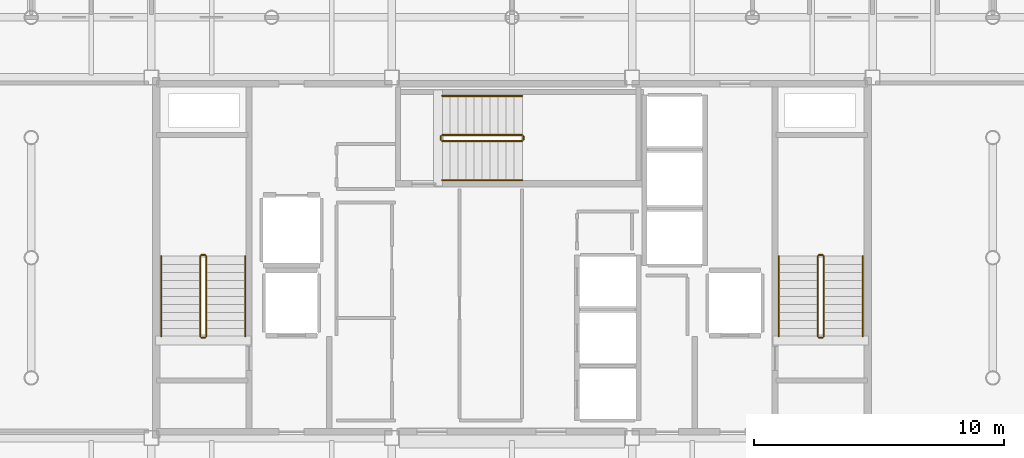
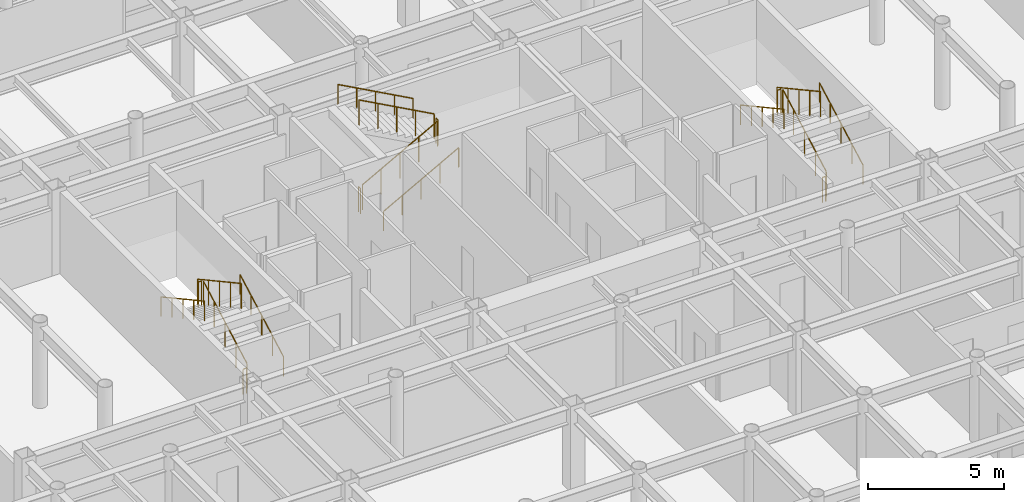
# One storey, part 21 of 21: 18 railings.
"""IFC4 building model written with IfcOpenShell, lengths in metres."""

from ifc_helpers import new_model, si_unit, direction, frame, origin, origin_2d, place, context, subcontext, project, spatial, circle, extrude, material, layer, layer_set, type_object, element, save


model = new_model("IFC4")

# Units and contexts
model_context = context("Model", 3, precision=1e-05, world=origin(), true_north=direction((0.0, 1.0)))
body_context = subcontext(model_context, "Body", "Model", "MODEL_VIEW")
ifc_project = project(units=[si_unit("LENGTHUNIT", "METRE"), si_unit("AREAUNIT", "SQUARE_METRE"), si_unit("VOLUMEUNIT", "CUBIC_METRE"), si_unit("PLANEANGLEUNIT", "RADIAN"), si_unit("MASSUNIT", "GRAM", prefix="KILO")], contexts=[model_context])

# Site, building, storey
site_placement = place(None, origin())
site = spatial("IfcSite", under=ifc_project, at=site_placement, CompositionType="ELEMENT")
building_placement = place(site_placement, origin())
building = spatial("IfcBuilding", under=site, at=building_placement, Name="Kallvorn Hotel Tower", CompositionType="ELEMENT")
storey_placement = place(building_placement, frame((0.0, 0.0, 210.75)))
storey = spatial("IfcBuildingStorey", under=building, at=storey_placement, Name="L52", CompositionType="ELEMENT", Elevation=210.75)

# Railings
ifc_material_1 = material(Name="Brushed stainless-steel tubular railing", Category="steel")
ifc_layer_1 = layer(ifc_material_1, 0.050048828125)
ifc_layer_set_1 = layer_set([ifc_layer_1], Name="RL_STAIR_GUARD")
railing_type_1 = type_object("IfcRailingType", Name="RL_STAIR_GUARD", PredefinedType="GUARDRAIL", material=ifc_layer_set_1)
railing_1_placement = place(storey_placement, frame((-12.2099609375, -3.139892578125, 0.175048828125)))
element("IfcRailing", 1, at=railing_1_placement, inside=storey, type_object=railing_type_1, Name="L52 ST1 stair guard 1", PredefinedType="GUARDRAIL", context=body_context, shape_type="SweptSolid", body=[
    extrude(circle(Radius=0.02392578125, at=origin_2d()), frame((0.0, 0.0, 1.1259765625), z_axis=(0.0, 0.877368057402, 0.479817977833), x_axis=(-1.0, 0.0, 0.0)), (0.0, 0.0, 1.0), 3.647216796875),
    extrude(circle(Radius=0.02099609375, at=origin_2d()), origin(), (0.0, 0.0, 1.0), 1.101806640625),
    extrude(circle(Radius=0.02099609375, at=origin_2d()), frame((0.0, 0.800048828125, 0.4375)), (0.0, 0.0, 1.0), 1.101806640625),
    extrude(circle(Radius=0.02099609375, at=origin_2d()), frame((0.0, 1.60009765625, 0.875)), (0.0, 0.0, 1.0), 1.101806640625),
    extrude(circle(Radius=0.02099609375, at=origin_2d()), frame((0.0, 2.39990234375, 1.3125)), (0.0, 0.0, 1.0), 1.101806640625),
    extrude(circle(Radius=0.02099609375, at=origin_2d()), frame((0.0, 3.199951171875, 1.75)), (0.0, 0.0, 1.0), 1.101806640625),
])
railing_2_placement = place(storey_placement, frame((-12.260009765625, 0.110107421875, 1.925048828125)))
element("IfcRailing", 2, at=railing_2_placement, inside=storey, type_object=railing_type_1, Name="L52 ST1 stair guard 2", PredefinedType="GUARDRAIL", context=body_context, shape_type="SweptSolid", body=[
    extrude(circle(Radius=0.02392578125, at=origin_2d()), frame((0.0, 0.0, 1.1259765625), z_axis=(-1.0, 0.0, 0.0), x_axis=(0.0, -1.0, 0.0)), (0.0, 0.0, 1.0), 0.139892578125),
    extrude(circle(Radius=0.02099609375, at=origin_2d()), origin(), (0.0, 0.0, 1.0), 1.101806640625),
    extrude(circle(Radius=0.02099609375, at=origin_2d()), frame((-0.139892578125, 0.0, 0.0)), (0.0, 0.0, 1.0), 1.101806640625),
])
railing_3_placement = place(storey_placement, frame((-12.449951171875, 0.06005859375, 2.10009765625)))
element("IfcRailing", 3, at=railing_3_placement, inside=storey, type_object=railing_type_1, Name="L52 ST1 stair guard 3", PredefinedType="GUARDRAIL", context=body_context, shape_type="SweptSolid", body=[
    extrude(circle(Radius=0.02392578125, at=origin_2d()), frame((0.0, 0.0, 1.1259765625), z_axis=(0.0, -0.877368057402, 0.479817977833), x_axis=(1.0, 0.0, 0.0)), (0.0, 0.0, 1.0), 3.647216796875),
    extrude(circle(Radius=0.02099609375, at=origin_2d()), origin(), (0.0, 0.0, 1.0), 1.101806640625),
    extrude(circle(Radius=0.02099609375, at=origin_2d()), frame((0.0, -0.800048828125, 0.4375)), (0.0, 0.0, 1.0), 1.101806640625),
    extrude(circle(Radius=0.02099609375, at=origin_2d()), frame((0.0, -1.60009765625, 0.875)), (0.0, 0.0, 1.0), 1.101806640625),
    extrude(circle(Radius=0.02099609375, at=origin_2d()), frame((0.0, -2.39990234375, 1.3125)), (0.0, 0.0, 1.0), 1.101806640625),
    extrude(circle(Radius=0.02099609375, at=origin_2d()), frame((0.0, -3.199951171875, 1.75)), (0.0, 0.0, 1.0), 1.101806640625),
])
railing_4_placement = place(storey_placement, frame((-12.260009765625, -3.18994140625, 0.0)))
element("IfcRailing", 4, at=railing_4_placement, inside=storey, type_object=railing_type_1, Name="L52 ST1 stair guard 4", PredefinedType="GUARDRAIL", context=body_context, shape_type="SweptSolid", body=[
    extrude(circle(Radius=0.02392578125, at=origin_2d()), frame((0.0, 0.0, 1.1259765625), z_axis=(-1.0, 0.0, 0.0), x_axis=(0.0, -1.0, 0.0)), (0.0, 0.0, 1.0), 0.139892578125),
    extrude(circle(Radius=0.02099609375, at=origin_2d()), origin(), (0.0, 0.0, 1.0), 1.101806640625),
    extrude(circle(Radius=0.02099609375, at=origin_2d()), frame((-0.139892578125, 0.0, 0.0)), (0.0, 0.0, 1.0), 1.101806640625),
])
railing_5_placement = place(storey_placement, frame((12.449951171875, -3.139892578125, 0.175048828125)))
element("IfcRailing", 5, at=railing_5_placement, inside=storey, type_object=railing_type_1, Name="L52 ST2 stair guard 1", PredefinedType="GUARDRAIL", context=body_context, shape_type="SweptSolid", body=[
    extrude(circle(Radius=0.02392578125, at=origin_2d()), frame((0.0, 0.0, 1.1259765625), z_axis=(0.0, 0.877368057402, 0.479817977833), x_axis=(-1.0, 0.0, 0.0)), (0.0, 0.0, 1.0), 3.647216796875),
    extrude(circle(Radius=0.02099609375, at=origin_2d()), origin(), (0.0, 0.0, 1.0), 1.101806640625),
    extrude(circle(Radius=0.02099609375, at=origin_2d()), frame((0.0, 0.800048828125, 0.4375)), (0.0, 0.0, 1.0), 1.101806640625),
    extrude(circle(Radius=0.02099609375, at=origin_2d()), frame((0.0, 1.60009765625, 0.875)), (0.0, 0.0, 1.0), 1.101806640625),
    extrude(circle(Radius=0.02099609375, at=origin_2d()), frame((0.0, 2.39990234375, 1.3125)), (0.0, 0.0, 1.0), 1.101806640625),
    extrude(circle(Radius=0.02099609375, at=origin_2d()), frame((0.0, 3.199951171875, 1.75)), (0.0, 0.0, 1.0), 1.101806640625),
])
railing_6_placement = place(storey_placement, frame((12.39990234375, 0.110107421875, 1.925048828125)))
element("IfcRailing", 6, at=railing_6_placement, inside=storey, type_object=railing_type_1, Name="L52 ST2 stair guard 2", PredefinedType="GUARDRAIL", context=body_context, shape_type="SweptSolid", body=[
    extrude(circle(Radius=0.02392578125, at=origin_2d()), frame((0.0, 0.0, 1.1259765625), z_axis=(-1.0, 0.0, 0.0), x_axis=(0.0, -1.0, 0.0)), (0.0, 0.0, 1.0), 0.139892578125),
    extrude(circle(Radius=0.02099609375, at=origin_2d()), origin(), (0.0, 0.0, 1.0), 1.101806640625),
    extrude(circle(Radius=0.02099609375, at=origin_2d()), frame((-0.139892578125, 0.0, 0.0)), (0.0, 0.0, 1.0), 1.101806640625),
])
railing_7_placement = place(storey_placement, frame((12.2099609375, 0.06005859375, 2.10009765625)))
element("IfcRailing", 7, at=railing_7_placement, inside=storey, type_object=railing_type_1, Name="L52 ST2 stair guard 3", PredefinedType="GUARDRAIL", context=body_context, shape_type="SweptSolid", body=[
    extrude(circle(Radius=0.02392578125, at=origin_2d()), frame((0.0, 0.0, 1.1259765625), z_axis=(0.0, -0.877368057402, 0.479817977833), x_axis=(1.0, 0.0, 0.0)), (0.0, 0.0, 1.0), 3.647216796875),
    extrude(circle(Radius=0.02099609375, at=origin_2d()), origin(), (0.0, 0.0, 1.0), 1.101806640625),
    extrude(circle(Radius=0.02099609375, at=origin_2d()), frame((0.0, -0.800048828125, 0.4375)), (0.0, 0.0, 1.0), 1.101806640625),
    extrude(circle(Radius=0.02099609375, at=origin_2d()), frame((0.0, -1.60009765625, 0.875)), (0.0, 0.0, 1.0), 1.101806640625),
    extrude(circle(Radius=0.02099609375, at=origin_2d()), frame((0.0, -2.39990234375, 1.3125)), (0.0, 0.0, 1.0), 1.101806640625),
    extrude(circle(Radius=0.02099609375, at=origin_2d()), frame((0.0, -3.199951171875, 1.75)), (0.0, 0.0, 1.0), 1.101806640625),
])
railing_8_placement = place(storey_placement, frame((12.39990234375, -3.18994140625, 0.0)))
element("IfcRailing", 8, at=railing_8_placement, inside=storey, type_object=railing_type_1, Name="L52 ST2 stair guard 4", PredefinedType="GUARDRAIL", context=body_context, shape_type="SweptSolid", body=[
    extrude(circle(Radius=0.02392578125, at=origin_2d()), frame((0.0, 0.0, 1.1259765625), z_axis=(-1.0, 0.0, 0.0), x_axis=(0.0, -1.0, 0.0)), (0.0, 0.0, 1.0), 0.139892578125),
    extrude(circle(Radius=0.02099609375, at=origin_2d()), origin(), (0.0, 0.0, 1.0), 1.101806640625),
    extrude(circle(Radius=0.02099609375, at=origin_2d()), frame((-0.139892578125, 0.0, 0.0)), (0.0, 0.0, 1.0), 1.101806640625),
])
railing_9_placement = place(storey_placement, frame((-2.7900390625, 4.659912109375, 0.175048828125)))
element("IfcRailing", 9, at=railing_9_placement, inside=storey, type_object=railing_type_1, Name="L52 ST3 stair guard 1", PredefinedType="GUARDRAIL", context=body_context, shape_type="SweptSolid", body=[
    extrude(circle(Radius=0.02392578125, at=origin_2d()), frame((0.0, 0.0, 1.1259765625), z_axis=(0.877368057402, 0.0, 0.479817977833), x_axis=(0.0, 1.0, 0.0)), (0.0, 0.0, 1.0), 3.647216796875),
    extrude(circle(Radius=0.02099609375, at=origin_2d()), origin(), (0.0, 0.0, 1.0), 1.101806640625),
    extrude(circle(Radius=0.02099609375, at=origin_2d()), frame((0.800048828125, 0.0, 0.4375)), (0.0, 0.0, 1.0), 1.101806640625),
    extrude(circle(Radius=0.02099609375, at=origin_2d()), frame((1.60009765625, 0.0, 0.875)), (0.0, 0.0, 1.0), 1.101806640625),
    extrude(circle(Radius=0.02099609375, at=origin_2d()), frame((2.39990234375, 0.0, 1.3125)), (0.0, 0.0, 1.0), 1.101806640625),
    extrude(circle(Radius=0.02099609375, at=origin_2d()), frame((3.199951171875, 0.0, 1.75)), (0.0, 0.0, 1.0), 1.101806640625),
])
railing_10_placement = place(storey_placement, frame((0.4599609375, 4.7099609375, 1.925048828125)))
element("IfcRailing", 10, at=railing_10_placement, inside=storey, type_object=railing_type_1, Name="L52 ST3 stair guard 2", PredefinedType="GUARDRAIL", context=body_context, shape_type="SweptSolid", body=[
    extrude(circle(Radius=0.02392578125, at=origin_2d()), frame((0.0, 0.0, 1.1259765625), z_axis=(0.0, 1.0, 0.0), x_axis=(-1.0, 0.0, 0.0)), (0.0, 0.0, 1.0), 0.14013671875),
    extrude(circle(Radius=0.02099609375, at=origin_2d()), origin(), (0.0, 0.0, 1.0), 1.101806640625),
    extrude(circle(Radius=0.02099609375, at=origin_2d()), frame((0.0, 0.14013671875, 0.0)), (0.0, 0.0, 1.0), 1.101806640625),
])
railing_11_placement = place(storey_placement, frame((0.409912109375, 4.89990234375, 2.10009765625)))
element("IfcRailing", 11, at=railing_11_placement, inside=storey, type_object=railing_type_1, Name="L52 ST3 stair guard 3", PredefinedType="GUARDRAIL", context=body_context, shape_type="SweptSolid", body=[
    extrude(circle(Radius=0.02392578125, at=origin_2d()), frame((0.0, 0.0, 1.1259765625), z_axis=(-0.877368057402, 0.0, 0.479817977833), x_axis=(0.0, -1.0, 0.0)), (0.0, 0.0, 1.0), 3.647216796875),
    extrude(circle(Radius=0.02099609375, at=origin_2d()), origin(), (0.0, 0.0, 1.0), 1.101806640625),
    extrude(circle(Radius=0.02099609375, at=origin_2d()), frame((-0.800048828125, 0.0, 0.4375)), (0.0, 0.0, 1.0), 1.101806640625),
    extrude(circle(Radius=0.02099609375, at=origin_2d()), frame((-1.60009765625, 0.0, 0.875)), (0.0, 0.0, 1.0), 1.101806640625),
    extrude(circle(Radius=0.02099609375, at=origin_2d()), frame((-2.39990234375, 0.0, 1.3125)), (0.0, 0.0, 1.0), 1.101806640625),
    extrude(circle(Radius=0.02099609375, at=origin_2d()), frame((-3.199951171875, 0.0, 1.75)), (0.0, 0.0, 1.0), 1.101806640625),
])
railing_12_placement = place(storey_placement, frame((-2.840087890625, 4.7099609375, 0.0)))
element("IfcRailing", 12, at=railing_12_placement, inside=storey, type_object=railing_type_1, Name="L52 ST3 stair guard 4", PredefinedType="GUARDRAIL", context=body_context, shape_type="SweptSolid", body=[
    extrude(circle(Radius=0.02392578125, at=origin_2d()), frame((0.0, 0.0, 1.1259765625), z_axis=(0.0, 1.0, 0.0), x_axis=(-1.0, 0.0, 0.0)), (0.0, 0.0, 1.0), 0.14013671875),
    extrude(circle(Radius=0.02099609375, at=origin_2d()), origin(), (0.0, 0.0, 1.0), 1.101806640625),
    extrude(circle(Radius=0.02099609375, at=origin_2d()), frame((0.0, 0.14013671875, 0.0)), (0.0, 0.0, 1.0), 1.101806640625),
])
ifc_material_2 = material(Name="Brushed stainless-steel tubular railing", Category="steel")
ifc_layer_2 = layer(ifc_material_2, 0.050048828125)
ifc_layer_set_2 = layer_set([ifc_layer_2], Name="RL_STAIR_HAND")
railing_type_2 = type_object("IfcRailingType", Name="RL_STAIR_HAND", PredefinedType="HANDRAIL", material=ifc_layer_set_2)
railing_13_placement = place(storey_placement, frame((-10.64990234375, -3.139892578125, 0.175048828125)))
element("IfcRailing", 13, at=railing_13_placement, inside=storey, type_object=railing_type_2, Name="L52 ST1 stair handrail 1", PredefinedType="HANDRAIL", context=body_context, shape_type="SweptSolid", body=[
    extrude(circle(Radius=0.02392578125, at=origin_2d()), frame((0.0, 0.0, 0.8759765625), z_axis=(0.0, 0.877368057402, 0.479817977833), x_axis=(-1.0, 0.0, 0.0)), (0.0, 0.0, 1.0), 3.647216796875),
    extrude(circle(Radius=0.02099609375, at=origin_2d()), origin(), (0.0, 0.0, 1.0), 0.851806640625),
    extrude(circle(Radius=0.02099609375, at=origin_2d()), frame((0.0, 0.800048828125, 0.4375)), (0.0, 0.0, 1.0), 0.851806640625),
    extrude(circle(Radius=0.02099609375, at=origin_2d()), frame((0.0, 1.60009765625, 0.875)), (0.0, 0.0, 1.0), 0.851806640625),
    extrude(circle(Radius=0.02099609375, at=origin_2d()), frame((0.0, 2.39990234375, 1.3125)), (0.0, 0.0, 1.0), 0.851806640625),
    extrude(circle(Radius=0.02099609375, at=origin_2d()), frame((0.0, 3.199951171875, 1.75)), (0.0, 0.0, 1.0), 0.851806640625),
])
railing_14_placement = place(storey_placement, frame((-14.010009765625, 0.06005859375, 2.10009765625)))
element("IfcRailing", 14, at=railing_14_placement, inside=storey, type_object=railing_type_2, Name="L52 ST1 stair handrail 2", PredefinedType="HANDRAIL", context=body_context, shape_type="SweptSolid", body=[
    extrude(circle(Radius=0.02392578125, at=origin_2d()), frame((0.0, 0.0, 0.8759765625), z_axis=(0.0, -0.877368057402, 0.479817977833), x_axis=(1.0, 0.0, 0.0)), (0.0, 0.0, 1.0), 3.647216796875),
    extrude(circle(Radius=0.02099609375, at=origin_2d()), origin(), (0.0, 0.0, 1.0), 0.851806640625),
    extrude(circle(Radius=0.02099609375, at=origin_2d()), frame((0.0, -0.800048828125, 0.4375)), (0.0, 0.0, 1.0), 0.851806640625),
    extrude(circle(Radius=0.02099609375, at=origin_2d()), frame((0.0, -1.60009765625, 0.875)), (0.0, 0.0, 1.0), 0.851806640625),
    extrude(circle(Radius=0.02099609375, at=origin_2d()), frame((0.0, -2.39990234375, 1.3125)), (0.0, 0.0, 1.0), 0.851806640625),
    extrude(circle(Radius=0.02099609375, at=origin_2d()), frame((0.0, -3.199951171875, 1.75)), (0.0, 0.0, 1.0), 0.851806640625),
])
railing_15_placement = place(storey_placement, frame((14.010009765625, -3.139892578125, 0.175048828125)))
element("IfcRailing", 15, at=railing_15_placement, inside=storey, type_object=railing_type_2, Name="L52 ST2 stair handrail 1", PredefinedType="HANDRAIL", context=body_context, shape_type="SweptSolid", body=[
    extrude(circle(Radius=0.02392578125, at=origin_2d()), frame((0.0, 0.0, 0.8759765625), z_axis=(0.0, 0.877368057402, 0.479817977833), x_axis=(-1.0, 0.0, 0.0)), (0.0, 0.0, 1.0), 3.647216796875),
    extrude(circle(Radius=0.02099609375, at=origin_2d()), origin(), (0.0, 0.0, 1.0), 0.851806640625),
    extrude(circle(Radius=0.02099609375, at=origin_2d()), frame((0.0, 0.800048828125, 0.4375)), (0.0, 0.0, 1.0), 0.851806640625),
    extrude(circle(Radius=0.02099609375, at=origin_2d()), frame((0.0, 1.60009765625, 0.875)), (0.0, 0.0, 1.0), 0.851806640625),
    extrude(circle(Radius=0.02099609375, at=origin_2d()), frame((0.0, 2.39990234375, 1.3125)), (0.0, 0.0, 1.0), 0.851806640625),
    extrude(circle(Radius=0.02099609375, at=origin_2d()), frame((0.0, 3.199951171875, 1.75)), (0.0, 0.0, 1.0), 0.851806640625),
])
railing_16_placement = place(storey_placement, frame((10.64990234375, 0.06005859375, 2.10009765625)))
element("IfcRailing", 16, at=railing_16_placement, inside=storey, type_object=railing_type_2, Name="L52 ST2 stair handrail 2", PredefinedType="HANDRAIL", context=body_context, shape_type="SweptSolid", body=[
    extrude(circle(Radius=0.02392578125, at=origin_2d()), frame((0.0, 0.0, 0.8759765625), z_axis=(0.0, -0.877368057402, 0.479817977833), x_axis=(1.0, 0.0, 0.0)), (0.0, 0.0, 1.0), 3.647216796875),
    extrude(circle(Radius=0.02099609375, at=origin_2d()), origin(), (0.0, 0.0, 1.0), 0.851806640625),
    extrude(circle(Radius=0.02099609375, at=origin_2d()), frame((0.0, -0.800048828125, 0.4375)), (0.0, 0.0, 1.0), 0.851806640625),
    extrude(circle(Radius=0.02099609375, at=origin_2d()), frame((0.0, -1.60009765625, 0.875)), (0.0, 0.0, 1.0), 0.851806640625),
    extrude(circle(Radius=0.02099609375, at=origin_2d()), frame((0.0, -2.39990234375, 1.3125)), (0.0, 0.0, 1.0), 0.851806640625),
    extrude(circle(Radius=0.02099609375, at=origin_2d()), frame((0.0, -3.199951171875, 1.75)), (0.0, 0.0, 1.0), 0.851806640625),
])
railing_17_placement = place(storey_placement, frame((-2.7900390625, 3.10009765625, 0.175048828125)))
element("IfcRailing", 17, at=railing_17_placement, inside=storey, type_object=railing_type_2, Name="L52 ST3 stair handrail 1", PredefinedType="HANDRAIL", context=body_context, shape_type="SweptSolid", body=[
    extrude(circle(Radius=0.02392578125, at=origin_2d()), frame((0.0, 0.0, 0.8759765625), z_axis=(0.877368057402, 0.0, 0.479817977833), x_axis=(0.0, 1.0, 0.0)), (0.0, 0.0, 1.0), 3.647216796875),
    extrude(circle(Radius=0.02099609375, at=origin_2d()), origin(), (0.0, 0.0, 1.0), 0.851806640625),
    extrude(circle(Radius=0.02099609375, at=origin_2d()), frame((0.800048828125, 0.0, 0.4375)), (0.0, 0.0, 1.0), 0.851806640625),
    extrude(circle(Radius=0.02099609375, at=origin_2d()), frame((1.60009765625, 0.0, 0.875)), (0.0, 0.0, 1.0), 0.851806640625),
    extrude(circle(Radius=0.02099609375, at=origin_2d()), frame((2.39990234375, 0.0, 1.3125)), (0.0, 0.0, 1.0), 0.851806640625),
    extrude(circle(Radius=0.02099609375, at=origin_2d()), frame((3.199951171875, 0.0, 1.75)), (0.0, 0.0, 1.0), 0.851806640625),
])
railing_18_placement = place(storey_placement, frame((0.409912109375, 6.4599609375, 2.10009765625)))
element("IfcRailing", 18, at=railing_18_placement, inside=storey, type_object=railing_type_2, Name="L52 ST3 stair handrail 2", PredefinedType="HANDRAIL", context=body_context, shape_type="SweptSolid", body=[
    extrude(circle(Radius=0.02392578125, at=origin_2d()), frame((0.0, 0.0, 0.8759765625), z_axis=(-0.877368057402, 0.0, 0.479817977833), x_axis=(0.0, -1.0, 0.0)), (0.0, 0.0, 1.0), 3.647216796875),
    extrude(circle(Radius=0.02099609375, at=origin_2d()), origin(), (0.0, 0.0, 1.0), 0.851806640625),
    extrude(circle(Radius=0.02099609375, at=origin_2d()), frame((-0.800048828125, 0.0, 0.4375)), (0.0, 0.0, 1.0), 0.851806640625),
    extrude(circle(Radius=0.02099609375, at=origin_2d()), frame((-1.60009765625, 0.0, 0.875)), (0.0, 0.0, 1.0), 0.851806640625),
    extrude(circle(Radius=0.02099609375, at=origin_2d()), frame((-2.39990234375, 0.0, 1.3125)), (0.0, 0.0, 1.0), 0.851806640625),
    extrude(circle(Radius=0.02099609375, at=origin_2d()), frame((-3.199951171875, 0.0, 1.75)), (0.0, 0.0, 1.0), 0.851806640625),
])

save(model, "model.ifc")
